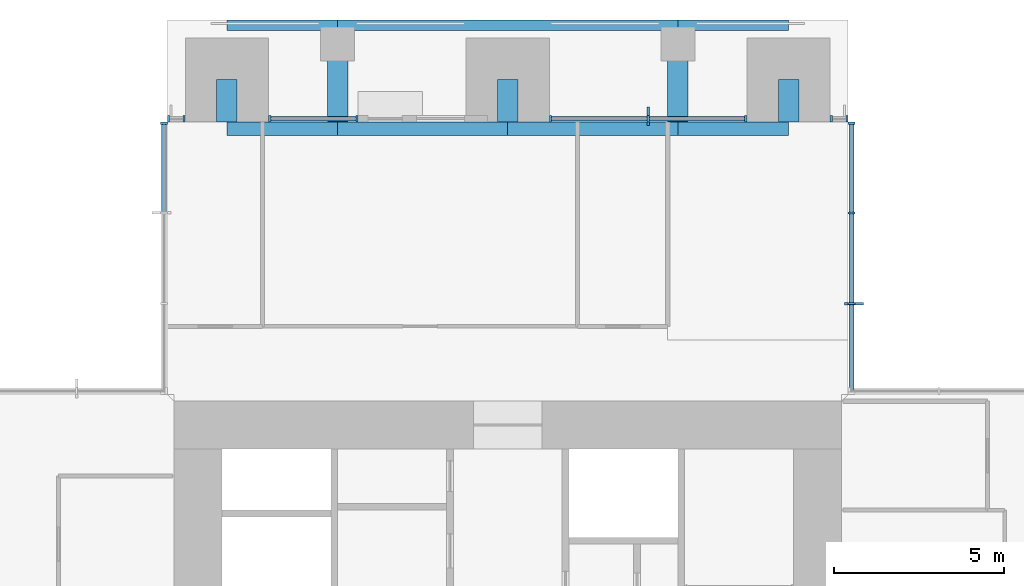
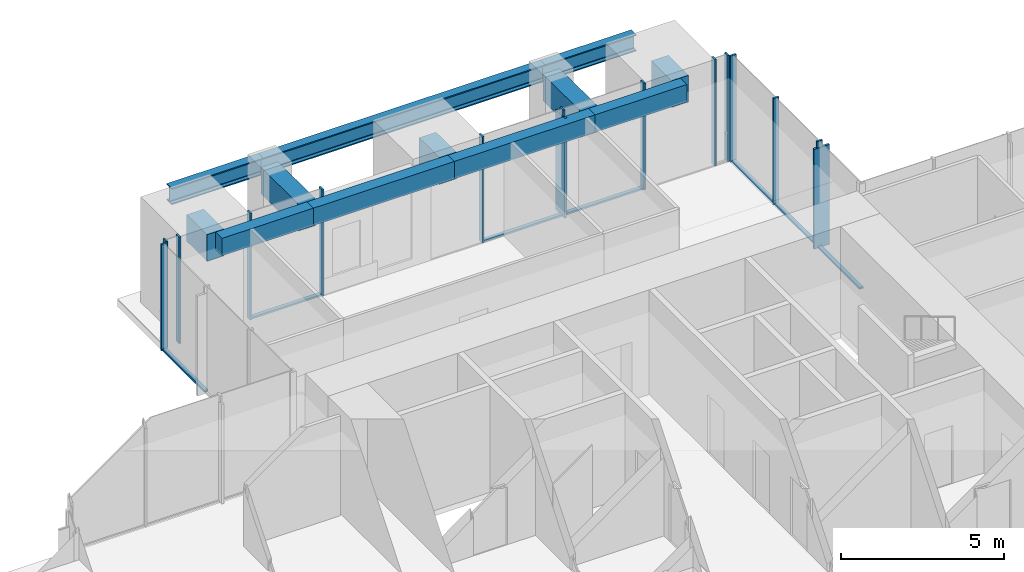
# One storey, part 5 of 17: 22 members, 12 beams, 6 elements without a shape of their own.
"""IFC4 building model written with IfcOpenShell, lengths in metres."""

from ifc_helpers import new_model, si_unit, direction, frame, origin, origin_2d, place, context, subcontext, project, spatial, rectangle, i_section, extrude, material, material_profile, profile_set, type_object, element, aggregate, save


model = new_model("IFC4")

# Units and contexts
model_context = context("Model", 3, precision=1e-05, world=origin(), true_north=direction((0.0, 1.0)))
body_context = subcontext(model_context, "Body", "Model", "MODEL_VIEW")
ifc_project = project(units=[si_unit("LENGTHUNIT", "METRE"), si_unit("AREAUNIT", "SQUARE_METRE"), si_unit("VOLUMEUNIT", "CUBIC_METRE"), si_unit("PLANEANGLEUNIT", "RADIAN"), si_unit("MASSUNIT", "GRAM", prefix="KILO")], contexts=[model_context])

# Site, building, storey
site_placement = place(None, origin())
site = spatial("IfcSite", under=ifc_project, at=site_placement, CompositionType="ELEMENT")
building_placement = place(site_placement, origin())
building = spatial("IfcBuilding", under=site, at=building_placement, Name="Svetlomir Tower", CompositionType="ELEMENT")
storey_placement = place(building_placement, frame((0.0, 0.0, 190.5)))
storey = spatial("IfcBuildingStorey", under=building, at=storey_placement, Name="L45", CompositionType="ELEMENT", Elevation=190.5)

# Curtain wall, member
ifc_material_1 = material(Name="Bronze anodised aluminium curtain wall", Category="aluminium")
curtain_wall_type = type_object("IfcCurtainWallType", Name="CURTAIN WALL CW1 TOWER OFFICE", PredefinedType="NOTDEFINED", material=ifc_material_1)
curtain_wall_1_placement = place(storey_placement, origin())
curtain_wall_1 = element("IfcCurtainWall", 1, at=curtain_wall_1_placement, inside=storey, type_object=curtain_wall_type, Name="Curtain wall CW1 L45", PredefinedType="NOTDEFINED")
ifc_material_2 = material(Name="Bronze anodised aluminium", Category="aluminium")
ifc_material_profile_1 = material_profile(ifc_material_2, rectangle(XDim=0.080078125, YDim=0.550048828125, at=origin_2d()), Name="FIN 80x550")
ifc_profile_set_1 = profile_set([ifc_material_profile_1], Name="Bronze anodised aluminium 6063-T6")
member_type_1 = type_object("IfcMemberType", Name="BRONZE FIN 80x550", PredefinedType="USERDEFINED", material=ifc_profile_set_1)
member_1_placement = place(storey_placement, frame((31.175048828125, 33.666748046875, 0.0), z_axis=(0.0, 0.0, 1.0), x_axis=(0.0, 1.0, 0.0)))
member_1 = element("IfcMember", 2, at=member_1_placement, type_object=member_type_1, Name="Bronze fin L45", ObjectType="FIN", PredefinedType="USERDEFINED", context=body_context, shape_type="SweptSolid", body=[
    extrude(rectangle(XDim=0.080078125, YDim=0.550048828125, at=origin_2d()), origin(), (0.0, 0.0, 1.0), 3.75),
])

curtain_wall_2_placement = place(storey_placement, origin())
curtain_wall_2 = element("IfcCurtainWall", 3, at=curtain_wall_2_placement, inside=storey, type_object=curtain_wall_type, Name="Curtain wall CW1 L45", PredefinedType="NOTDEFINED")
member_2_placement = place(storey_placement, frame((25.125, 39.175048828125, 0.0), z_axis=(0.0, 0.0, 1.0), x_axis=(1.0, 0.0, 0.0)))
member_2 = element("IfcMember", 4, at=member_2_placement, type_object=member_type_1, Name="Bronze fin L45", ObjectType="FIN", PredefinedType="USERDEFINED", context=body_context, shape_type="SweptSolid", body=[
    extrude(rectangle(XDim=0.080078125, YDim=0.550048828125, at=origin_2d()), origin(), (0.0, 0.0, 1.0), 3.75),
])

# Member
ifc_material_3 = material(Name="Bronze anodised aluminium", Category="aluminium")
ifc_material_profile_2 = material_profile(ifc_material_3, rectangle(XDim=0.06494140625, YDim=0.199951171875, at=origin_2d()), Name="AL 65x200")
ifc_profile_set_2 = profile_set([ifc_material_profile_2], Name="Bronze anodised aluminium 6063-T6")
member_type_2 = type_object("IfcMemberType", Name="CW1 MULLION 65x200", PredefinedType="MULLION", material=ifc_profile_set_2)
member_3_placement = place(storey_placement, frame((31.10009765625, 33.666748046875, 0.0), z_axis=(0.0, 0.0, 1.0), x_axis=(0.0, 1.0, 0.0)))
member_3 = element("IfcMember", 5, at=member_3_placement, type_object=member_type_2, Name="CW1 mullion 2", PredefinedType="MULLION", context=body_context, shape_type="SweptSolid", body=[
    extrude(rectangle(XDim=0.06494140625, YDim=0.199951171875, at=origin_2d()), origin(), (0.0, 0.0, 1.0), 4.0),
])

member_4_placement = place(storey_placement, frame((31.10009765625, 36.333251953125, 0.0), z_axis=(0.0, 0.0, 1.0), x_axis=(0.0, 1.0, 0.0)))
member_4 = element("IfcMember", 6, at=member_4_placement, type_object=member_type_2, Name="CW1 mullion 3", PredefinedType="MULLION", context=body_context, shape_type="SweptSolid", body=[
    extrude(rectangle(XDim=0.06494140625, YDim=0.199951171875, at=origin_2d()), origin(), (0.0, 0.0, 1.0), 4.0),
])

member_5_placement = place(storey_placement, frame((31.10009765625, 38.967529296875, 0.0), z_axis=(0.0, 0.0, 1.0), x_axis=(0.0, 1.0, 0.0)))
member_5 = element("IfcMember", 7, at=member_5_placement, type_object=member_type_2, Name="CW1 mullion 4", PredefinedType="MULLION", context=body_context, shape_type="SweptSolid", body=[
    extrude(rectangle(XDim=0.06494140625, YDim=0.199951171875, at=origin_2d()), origin(), (0.0, 0.0, 1.0), 4.0),
])

# Curtain wall, members
curtain_wall_3_placement = place(storey_placement, origin())
curtain_wall_3 = element("IfcCurtainWall", 8, at=curtain_wall_3_placement, inside=storey, type_object=curtain_wall_type, Name="Curtain wall CW1 L45", PredefinedType="NOTDEFINED")
member_6_placement = place(storey_placement, frame((30.967529296875, 39.10009765625, 0.0), z_axis=(0.0, 0.0, 1.0), x_axis=(-1.0, 0.0, 0.0)))
member_6 = element("IfcMember", 9, at=member_6_placement, type_object=member_type_2, Name="CW1 mullion 1", PredefinedType="MULLION", context=body_context, shape_type="SweptSolid", body=[
    extrude(rectangle(XDim=0.06494140625, YDim=0.199951171875, at=origin_2d()), origin(), (0.0, 0.0, 1.0), 4.0),
])
member_7_placement = place(storey_placement, frame((30.507568359375, 39.10009765625, 0.0), z_axis=(0.0, 0.0, 1.0), x_axis=(-1.0, 0.0, 0.0)))
member_7 = element("IfcMember", 10, at=member_7_placement, type_object=member_type_2, Name="CW1 mullion 2", PredefinedType="MULLION", context=body_context, shape_type="SweptSolid", body=[
    extrude(rectangle(XDim=0.06494140625, YDim=0.199951171875, at=origin_2d()), origin(), (0.0, 0.0, 1.0), 4.0),
])
aggregate(curtain_wall_3, [member_6, member_7])

# Member
member_8_placement = place(storey_placement, frame((27.992431640625, 39.10009765625, 0.0), z_axis=(0.0, 0.0, 1.0), x_axis=(-1.0, 0.0, 0.0)))
member_8 = element("IfcMember", 11, at=member_8_placement, type_object=member_type_2, Name="CW1 mullion 1", PredefinedType="MULLION", context=body_context, shape_type="SweptSolid", body=[
    extrude(rectangle(XDim=0.06494140625, YDim=0.199951171875, at=origin_2d()), origin(), (0.0, 0.0, 1.0), 4.0),
])

member_9_placement = place(storey_placement, frame((25.125, 39.10009765625, 0.0), z_axis=(0.0, 0.0, 1.0), x_axis=(-1.0, 0.0, 0.0)))
member_9 = element("IfcMember", 12, at=member_9_placement, type_object=member_type_2, Name="CW1 mullion 2", PredefinedType="MULLION", context=body_context, shape_type="SweptSolid", body=[
    extrude(rectangle(XDim=0.06494140625, YDim=0.199951171875, at=origin_2d()), origin(), (0.0, 0.0, 1.0), 4.0),
])

member_10_placement = place(storey_placement, frame((22.257568359375, 39.10009765625, 0.0), z_axis=(0.0, 0.0, 1.0), x_axis=(-1.0, 0.0, 0.0)))
member_10 = element("IfcMember", 13, at=member_10_placement, type_object=member_type_2, Name="CW1 mullion 3", PredefinedType="MULLION", context=body_context, shape_type="SweptSolid", body=[
    extrude(rectangle(XDim=0.06494140625, YDim=0.199951171875, at=origin_2d()), origin(), (0.0, 0.0, 1.0), 4.0),
])

# Curtain wall, members
curtain_wall_4_placement = place(storey_placement, origin())
curtain_wall_4 = element("IfcCurtainWall", 14, at=curtain_wall_4_placement, inside=storey, type_object=curtain_wall_type, Name="Curtain wall CW1 L45", PredefinedType="NOTDEFINED")
member_11_placement = place(storey_placement, frame((16.5673828125, 39.10009765625, 0.0), z_axis=(0.0, 0.0, 1.0), x_axis=(-1.0, 0.0, 0.0)))
member_11 = element("IfcMember", 15, at=member_11_placement, type_object=member_type_2, Name="CW1 mullion 1", PredefinedType="MULLION", context=body_context, shape_type="SweptSolid", body=[
    extrude(rectangle(XDim=0.06494140625, YDim=0.199951171875, at=origin_2d()), origin(), (0.0, 0.0, 1.0), 4.0),
])
member_12_placement = place(storey_placement, frame((14.007568359375, 39.10009765625, 0.0), z_axis=(0.0, 0.0, 1.0), x_axis=(-1.0, 0.0, 0.0)))
member_12 = element("IfcMember", 16, at=member_12_placement, type_object=member_type_2, Name="CW1 mullion 2", PredefinedType="MULLION", context=body_context, shape_type="SweptSolid", body=[
    extrude(rectangle(XDim=0.06494140625, YDim=0.199951171875, at=origin_2d()), origin(), (0.0, 0.0, 1.0), 4.0),
])

curtain_wall_5_placement = place(storey_placement, origin())
curtain_wall_5 = element("IfcCurtainWall", 17, at=curtain_wall_5_placement, inside=storey, type_object=curtain_wall_type, Name="Curtain wall CW1 L45", PredefinedType="NOTDEFINED")
member_13_placement = place(storey_placement, frame((11.492431640625, 39.10009765625, 0.0), z_axis=(0.0, 0.0, 1.0), x_axis=(-1.0, 0.0, 0.0)))
member_13 = element("IfcMember", 18, at=member_13_placement, type_object=member_type_2, Name="CW1 mullion 1", PredefinedType="MULLION", context=body_context, shape_type="SweptSolid", body=[
    extrude(rectangle(XDim=0.06494140625, YDim=0.199951171875, at=origin_2d()), origin(), (0.0, 0.0, 1.0), 4.0),
])
member_14_placement = place(storey_placement, frame((11.032470703125, 39.10009765625, 0.0), z_axis=(0.0, 0.0, 1.0), x_axis=(-1.0, 0.0, 0.0)))
member_14 = element("IfcMember", 19, at=member_14_placement, type_object=member_type_2, Name="CW1 mullion 2", PredefinedType="MULLION", context=body_context, shape_type="SweptSolid", body=[
    extrude(rectangle(XDim=0.06494140625, YDim=0.199951171875, at=origin_2d()), origin(), (0.0, 0.0, 1.0), 4.0),
])
aggregate(curtain_wall_5, [member_13, member_14])

# Curtain wall, member
curtain_wall_6_placement = place(storey_placement, origin())
curtain_wall_6 = element("IfcCurtainWall", 20, at=curtain_wall_6_placement, inside=storey, type_object=curtain_wall_type, Name="Curtain wall CW1 L45", PredefinedType="NOTDEFINED")
member_15_placement = place(storey_placement, frame((10.89990234375, 38.967529296875, 0.0), z_axis=(0.0, 0.0, 1.0), x_axis=(0.0, -1.0, 0.0)))
member_15 = element("IfcMember", 21, at=member_15_placement, type_object=member_type_2, Name="CW1 mullion 1", PredefinedType="MULLION", context=body_context, shape_type="SweptSolid", body=[
    extrude(rectangle(XDim=0.06494140625, YDim=0.199951171875, at=origin_2d()), origin(), (0.0, 0.0, 1.0), 4.0),
])

# Member
ifc_material_4 = material(Name="Bronze anodised aluminium", Category="aluminium")
ifc_material_profile_3 = material_profile(ifc_material_4, rectangle(XDim=0.139892578125, YDim=0.06494140625, at=origin_2d()), Name="AL 140x65")
ifc_profile_set_3 = profile_set([ifc_material_profile_3], Name="Bronze anodised aluminium 6063-T6")
member_type_3 = type_object("IfcMemberType", Name="CW1 TRANSOM 65x140", PredefinedType="USERDEFINED", material=ifc_profile_set_3)
member_16_placement = place(storey_placement, frame((31.10009765625, 31.06494140625, 0.032470703125), z_axis=(0.0, 1.0, 0.0), x_axis=(-1.0, 0.0, 0.0)))
member_16 = element("IfcMember", 22, at=member_16_placement, type_object=member_type_3, Name="CW1 transom 1.1", ObjectType="TRANSOM", PredefinedType="USERDEFINED", context=body_context, shape_type="SweptSolid", body=[
    extrude(rectangle(XDim=0.139892578125, YDim=0.06494140625, at=origin_2d()), origin(), (0.0, 0.0, 1.0), 2.5693359375),
])

member_17_placement = place(storey_placement, frame((31.10009765625, 33.69921875, 0.032470703125), z_axis=(0.0, 1.0, 0.0), x_axis=(-1.0, 0.0, 0.0)))
member_17 = element("IfcMember", 23, at=member_17_placement, type_object=member_type_3, Name="CW1 transom 2.1", ObjectType="TRANSOM", PredefinedType="USERDEFINED", context=body_context, shape_type="SweptSolid", body=[
    extrude(rectangle(XDim=0.139892578125, YDim=0.06494140625, at=origin_2d()), origin(), (0.0, 0.0, 1.0), 2.6015625),
])

member_18_placement = place(storey_placement, frame((31.10009765625, 36.36572265625, 0.032470703125), z_axis=(0.0, 1.0, 0.0), x_axis=(-1.0, 0.0, 0.0)))
member_18 = element("IfcMember", 24, at=member_18_placement, type_object=member_type_3, Name="CW1 transom 3.1", ObjectType="TRANSOM", PredefinedType="USERDEFINED", context=body_context, shape_type="SweptSolid", body=[
    extrude(rectangle(XDim=0.139892578125, YDim=0.06494140625, at=origin_2d()), origin(), (0.0, 0.0, 1.0), 2.5693359375),
])

aggregate(curtain_wall_1, [member_3, member_4, member_5, member_16, member_17, member_18, member_1])

member_19_placement = place(storey_placement, frame((27.9599609375, 39.10009765625, 0.032470703125), z_axis=(-1.0, 0.0, 0.0), x_axis=(0.0, -1.0, 0.0)))
member_19 = element("IfcMember", 25, at=member_19_placement, type_object=member_type_3, Name="CW1 transom 1.1", ObjectType="TRANSOM", PredefinedType="USERDEFINED", context=body_context, shape_type="SweptSolid", body=[
    extrude(rectangle(XDim=0.139892578125, YDim=0.06494140625, at=origin_2d()), origin(), (0.0, 0.0, 1.0), 2.802490234375),
])

member_20_placement = place(storey_placement, frame((25.092529296875, 39.10009765625, 0.032470703125), z_axis=(-1.0, 0.0, 0.0), x_axis=(0.0, -1.0, 0.0)))
member_20 = element("IfcMember", 26, at=member_20_placement, type_object=member_type_3, Name="CW1 transom 2.1", ObjectType="TRANSOM", PredefinedType="USERDEFINED", context=body_context, shape_type="SweptSolid", body=[
    extrude(rectangle(XDim=0.139892578125, YDim=0.06494140625, at=origin_2d()), origin(), (0.0, 0.0, 1.0), 2.802490234375),
])

aggregate(curtain_wall_2, [member_8, member_9, member_10, member_19, member_20, member_2])

member_21_placement = place(storey_placement, frame((16.534912109375, 39.10009765625, 0.032470703125), z_axis=(-1.0, 0.0, 0.0), x_axis=(0.0, -1.0, 0.0)))
member_21 = element("IfcMember", 27, at=member_21_placement, type_object=member_type_3, Name="CW1 transom 1.1", ObjectType="TRANSOM", PredefinedType="USERDEFINED", context=body_context, shape_type="SweptSolid", body=[
    extrude(rectangle(XDim=0.139892578125, YDim=0.06494140625, at=origin_2d()), origin(), (0.0, 0.0, 1.0), 2.494873046875),
])

aggregate(curtain_wall_4, [member_11, member_12, member_21])

member_22_placement = place(storey_placement, frame((10.89990234375, 38.93505859375, 0.032470703125), z_axis=(0.0, -1.0, 0.0), x_axis=(1.0, 0.0, 0.0)))
member_22 = element("IfcMember", 28, at=member_22_placement, type_object=member_type_3, Name="CW1 transom 1.1", ObjectType="TRANSOM", PredefinedType="USERDEFINED", context=body_context, shape_type="SweptSolid", body=[
    extrude(rectangle(XDim=0.139892578125, YDim=0.06494140625, at=origin_2d()), origin(), (0.0, 0.0, 1.0), 2.5693359375),
])

aggregate(curtain_wall_6, [member_15, member_22])

# Beams
ifc_material_5 = material(Name="Steel S355", Category="steel")
ifc_material_profile_4 = material_profile(ifc_material_5, i_section(OverallWidth=0.304931640625, OverallDepth=0.6201171875, WebThickness=0.02099609375, FlangeThickness=0.0400390625, FilletRadius=0.027099609375, at=origin_2d()), Name="HEM 600")
ifc_profile_set_4 = profile_set([ifc_material_profile_4], Name="Steel S355")
beam_type_1 = type_object("IfcBeamType", Name="EDGE BEAM HEM 600", PredefinedType="SPANDREL", material=ifc_profile_set_4)
beam_1_placement = place(storey_placement, frame((12.75, 41.847412109375, 3.43994140625), z_axis=(1.0, 0.0, 0.0), x_axis=(0.0, 1.0, 0.0)))
element("IfcBeam", 29, at=beam_1_placement, inside=storey, type_object=beam_type_1, Name="Edge beam 11/42 to 16/42 under L46", PredefinedType="SPANDREL", context=body_context, shape_type="SweptSolid", body=[
    extrude(i_section(OverallWidth=0.304931640625, OverallDepth=0.6201171875, WebThickness=0.02099609375, FlangeThickness=0.0400390625, FilletRadius=0.027099609375, at=origin_2d()), origin(), (0.0, 0.0, 1.0), 3.25),
])
beam_2_placement = place(storey_placement, frame((16.0, 41.847412109375, 3.43994140625), z_axis=(1.0, 0.0, 0.0), x_axis=(0.0, 1.0, 0.0)))
element("IfcBeam", 30, at=beam_2_placement, inside=storey, type_object=beam_type_1, Name="Edge beam 16/42 to 26/42 under L46", PredefinedType="SPANDREL", context=body_context, shape_type="SweptSolid", body=[
    extrude(i_section(OverallWidth=0.304931640625, OverallDepth=0.6201171875, WebThickness=0.02099609375, FlangeThickness=0.0400390625, FilletRadius=0.027099609375, at=origin_2d()), origin(), (0.0, 0.0, 1.0), 10.0),
])
beam_3_placement = place(storey_placement, frame((26.0, 41.847412109375, 3.43994140625), z_axis=(1.0, 0.0, 0.0), x_axis=(0.0, 1.0, 0.0)))
element("IfcBeam", 31, at=beam_3_placement, inside=storey, type_object=beam_type_1, Name="Edge beam 26/42 to 31/42 under L46", PredefinedType="SPANDREL", context=body_context, shape_type="SweptSolid", body=[
    extrude(i_section(OverallWidth=0.304931640625, OverallDepth=0.6201171875, WebThickness=0.02099609375, FlangeThickness=0.0400390625, FilletRadius=0.027099609375, at=origin_2d()), origin(), (0.0, 0.0, 1.0), 3.25),
])
ifc_material_6 = material(Name="Concrete C60/75", Category="concrete")
ifc_material_profile_5 = material_profile(ifc_material_6, rectangle(XDim=0.39990234375, YDim=0.64990234375, at=origin_2d()), Name="RC 400x650")
ifc_profile_set_5 = profile_set([ifc_material_profile_5], Name="Concrete C60/75")
beam_type_2 = type_object("IfcBeamType", Name="FACADE EDGE BEAM RC 400x650", PredefinedType="BEAM", material=ifc_profile_set_5)
beam_4_placement = place(storey_placement, frame((12.75, 38.800048828125, 3.425048828125), z_axis=(1.0, 0.0, 0.0), x_axis=(0.0, 1.0, 0.0)))
element("IfcBeam", 32, at=beam_4_placement, inside=storey, type_object=beam_type_2, Name="Facade edge beam N 11 to 16 under L46", PredefinedType="BEAM", context=body_context, shape_type="SweptSolid", body=[
    extrude(rectangle(XDim=0.39990234375, YDim=0.64990234375, at=origin_2d()), origin(), (0.0, 0.0, 1.0), 3.25),
])
for number, where, z_axis, x_axis, name in (
    (33, (16.0, 38.800048828125, 3.425048828125), (1.0, 0.0, 0.0), (0.0, 1.0, 0.0), "Facade edge beam N 16 to 21 under L46"),
    (34, (21.0, 38.800048828125, 3.425048828125), (1.0, 0.0, 0.0), (0.0, 1.0, 0.0), "Facade edge beam N 21 to 26 under L46"),
):
    element("IfcBeam", number, at=place(storey_placement, frame(where, z_axis=z_axis, x_axis=x_axis)), inside=storey, type_object=beam_type_2, Name=name, PredefinedType="BEAM", context=body_context, shape_type="SweptSolid", body=[
        extrude(rectangle(XDim=0.39990234375, YDim=0.64990234375, at=origin_2d()), origin(), (0.0, 0.0, 1.0), 5.0),
    ])
beam_5_placement = place(storey_placement, frame((26.0, 38.800048828125, 3.425048828125), z_axis=(1.0, 0.0, 0.0), x_axis=(0.0, 1.0, 0.0)))
element("IfcBeam", 35, at=beam_5_placement, inside=storey, type_object=beam_type_2, Name="Facade edge beam N 26 to 31 under L46", PredefinedType="BEAM", context=body_context, shape_type="SweptSolid", body=[
    extrude(rectangle(XDim=0.39990234375, YDim=0.64990234375, at=origin_2d()), origin(), (0.0, 0.0, 1.0), 3.25),
])
ifc_material_7 = material(Name="Concrete C60/75", Category="concrete")
ifc_material_profile_6 = material_profile(ifc_material_7, rectangle(XDim=0.60009765625, YDim=1.0, at=origin_2d()), Name="RC 600x1000")
ifc_profile_set_6 = profile_set([ifc_material_profile_6], Name="Concrete C60/75")
beam_type_3 = type_object("IfcBeamType", Name="LOGGIA LINK BEAM RC 600x1000", PredefinedType="BEAM", material=ifc_profile_set_6)
beam_6_placement = place(storey_placement, frame((12.75, 40.25, 3.25), z_axis=(0.0, -1.0, 0.0), x_axis=(1.0, 0.0, 0.0)))
element("IfcBeam", 36, at=beam_6_placement, inside=storey, type_object=beam_type_3, Name="Loggia link beam N 11 under L46", PredefinedType="BEAM", context=body_context, shape_type="SweptSolid", body=[
    extrude(rectangle(XDim=0.60009765625, YDim=1.0, at=origin_2d()), origin(), (0.0, 0.0, 1.0), 1.25),
])
beam_7_placement = place(storey_placement, frame((16.0, 41.300048828125, 3.25), z_axis=(0.0, -1.0, 0.0), x_axis=(1.0, 0.0, 0.0)))
element("IfcBeam", 37, at=beam_7_placement, inside=storey, type_object=beam_type_3, Name="Loggia link beam N 16 under L46", PredefinedType="BEAM", context=body_context, shape_type="SweptSolid", body=[
    extrude(rectangle(XDim=0.60009765625, YDim=1.0, at=origin_2d()), origin(), (0.0, 0.0, 1.0), 2.300048828125),
])
beam_8_placement = place(storey_placement, frame((21.0, 40.25, 3.25), z_axis=(0.0, -1.0, 0.0), x_axis=(1.0, 0.0, 0.0)))
element("IfcBeam", 38, at=beam_8_placement, inside=storey, type_object=beam_type_3, Name="Loggia link beam N 21 under L46", PredefinedType="BEAM", context=body_context, shape_type="SweptSolid", body=[
    extrude(rectangle(XDim=0.60009765625, YDim=1.0, at=origin_2d()), origin(), (0.0, 0.0, 1.0), 1.25),
])
beam_9_placement = place(storey_placement, frame((26.0, 41.300048828125, 3.25), z_axis=(0.0, -1.0, 0.0), x_axis=(1.0, 0.0, 0.0)))
element("IfcBeam", 39, at=beam_9_placement, inside=storey, type_object=beam_type_3, Name="Loggia link beam N 26 under L46", PredefinedType="BEAM", context=body_context, shape_type="SweptSolid", body=[
    extrude(rectangle(XDim=0.60009765625, YDim=1.0, at=origin_2d()), origin(), (0.0, 0.0, 1.0), 2.300048828125),
])
beam_10_placement = place(storey_placement, frame((29.25, 40.25, 3.25), z_axis=(0.0, -1.0, 0.0), x_axis=(1.0, 0.0, 0.0)))
element("IfcBeam", 40, at=beam_10_placement, inside=storey, type_object=beam_type_3, Name="Loggia link beam N 31 under L46", PredefinedType="BEAM", context=body_context, shape_type="SweptSolid", body=[
    extrude(rectangle(XDim=0.60009765625, YDim=1.0, at=origin_2d()), origin(), (0.0, 0.0, 1.0), 1.25),
])

save(model, "model.ifc")
